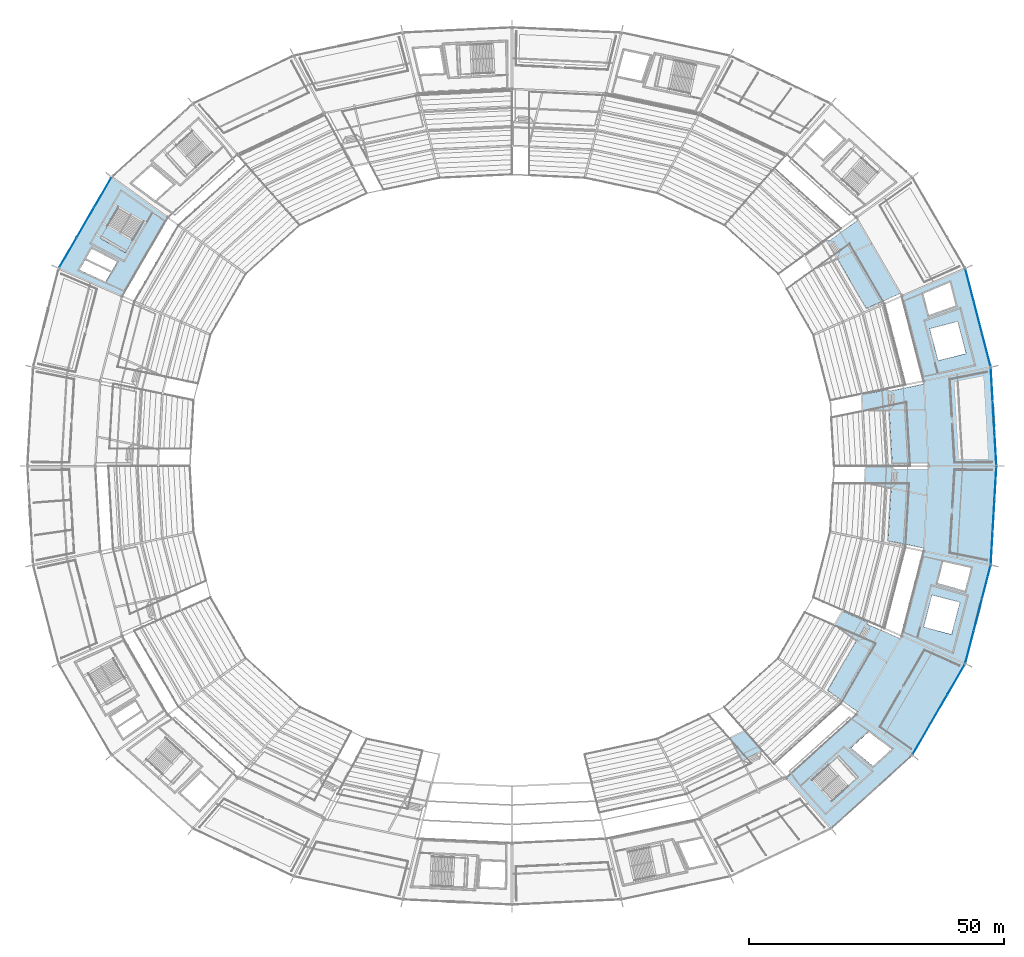
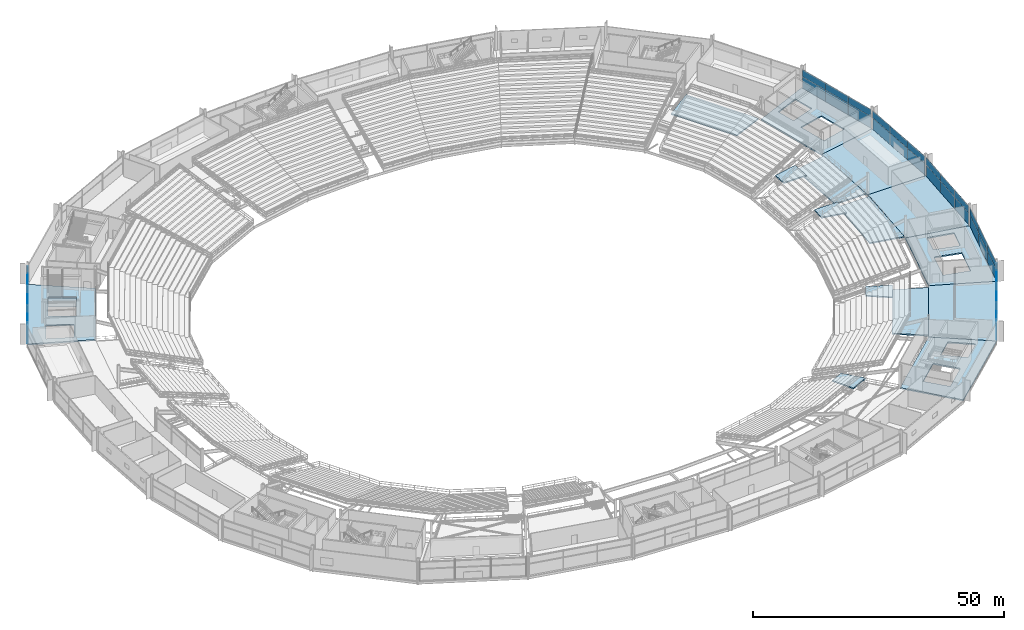
# One storey, part 122 of 186: 36 plates, 16 slabs, 7 elements without a shape of their own.
"""IFC4 building model written with IfcOpenShell, lengths in metres."""

from ifc_helpers import new_model, si_unit, direction, frame, origin, origin_2d, place, context, subcontext, project, spatial, polyline, rectangle, outline, extrude, material, layer, layer_set, type_object, element, aggregate, save


model = new_model("IFC4")

# Units and contexts
model_context = context("Model", 3, precision=1e-05, world=origin(), true_north=direction((0.0, 1.0)))
body_context = subcontext(model_context, "Body", "Model", "MODEL_VIEW")
ifc_project = project(units=[si_unit("LENGTHUNIT", "METRE"), si_unit("AREAUNIT", "SQUARE_METRE"), si_unit("VOLUMEUNIT", "CUBIC_METRE"), si_unit("PLANEANGLEUNIT", "RADIAN"), si_unit("MASSUNIT", "GRAM", prefix="KILO")], contexts=[model_context])

# Site, building, storey
site_placement = place(None, origin())
site = spatial("IfcSite", under=ifc_project, at=site_placement, CompositionType="ELEMENT")
building_placement = place(site_placement, origin())
building = spatial("IfcBuilding", under=site, at=building_placement, Name="Kazemori Nagisa Stadium", CompositionType="ELEMENT")
storey_placement = place(building_placement, frame((0.0, 0.0, 20.39990234375)))
storey = spatial("IfcBuildingStorey", under=building, at=storey_placement, Name="L04", CompositionType="ELEMENT", Elevation=20.39990234375)

# Curtain wall, plates
ifc_material_1 = material(Name="Anodised aluminium 6063-T5", Category="aluminium")
ifc_layer_1 = layer(ifc_material_1, 0.179931640625, Name="Anodised aluminium 6063-T5", Category="aluminium")
ifc_layer_set_1 = layer_set([ifc_layer_1], Name="Anodised aluminium 6063-T5")
curtain_wall_type_1 = type_object("IfcCurtainWallType", Name="CW_L04R3_101", PredefinedType="USERDEFINED", material=ifc_layer_set_1)
curtain_wall_1_placement = place(storey_placement, origin())
curtain_wall_1 = element("IfcCurtainWall", 1, at=curtain_wall_1_placement, inside=storey, type_object=curtain_wall_type_1, Name="Unitised curtain wall CW-L04R3-101 L04", ObjectType="UNITISED CURTAIN WALL", PredefinedType="USERDEFINED")
ifc_material_2 = material(Name="Anodised aluminium spandrel sheet", Category="aluminium")
ifc_layer_2 = layer(ifc_material_2, 0.0458984375, Name="Anodised aluminium spandrel sheet", Category="aluminium")
ifc_layer_set_2 = layer_set([ifc_layer_2], Name="Anodised aluminium spandrel sheet")
plate_type_1 = type_object("IfcPlateType", Name="CWPanel_SPN_L04R3_101", PredefinedType="CURTAIN_PANEL", material=ifc_layer_set_2)
plate_1_placement = place(storey_placement, frame((42.687744140625, 155.5341796875, 2.80859375), z_axis=(0.0, 0.0, 1.0), x_axis=(-0.501611590054, -0.865092950337, 0.0)))
plate_1 = element("IfcPlate", 2, at=plate_1_placement, type_object=plate_type_1, Name="Curtain wall spandrel panel CW-L04R3-101-S1", PredefinedType="CURTAIN_PANEL", context=body_context, shape_type="SweptSolid", body=[
    extrude(rectangle(XDim=6.7099609375, YDim=0.0458984375, at=origin_2d()), origin(), (0.0, 0.0, 1.0), 1.721435546875),
])
plate_2_placement = place(storey_placement, frame((39.309814453125, 149.70849609375, 2.80859375), z_axis=(0.0, 0.0, 1.0), x_axis=(-0.501611590054, -0.865092950337, 0.0)))
plate_2 = element("IfcPlate", 3, at=plate_2_placement, type_object=plate_type_1, Name="Curtain wall spandrel panel CW-L04R3-101-S2", PredefinedType="CURTAIN_PANEL", context=body_context, shape_type="SweptSolid", body=[
    extrude(rectangle(XDim=6.7099609375, YDim=0.0458984375, at=origin_2d()), origin(), (0.0, 0.0, 1.0), 1.721435546875),
])
plate_3_placement = place(storey_placement, frame((35.931884765625, 143.883056640625, 2.80859375), z_axis=(0.0, 0.0, 1.0), x_axis=(-0.501611590054, -0.865092950337, 0.0)))
plate_3 = element("IfcPlate", 4, at=plate_3_placement, type_object=plate_type_1, Name="Curtain wall spandrel panel CW-L04R3-101-S3", PredefinedType="CURTAIN_PANEL", context=body_context, shape_type="SweptSolid", body=[
    extrude(rectangle(XDim=6.7099609375, YDim=0.0458984375, at=origin_2d()), origin(), (0.0, 0.0, 1.0), 1.721435546875),
])

curtain_wall_2_placement = place(storey_placement, origin())
curtain_wall_2 = element("IfcCurtainWall", 5, at=curtain_wall_2_placement, inside=storey, type_object=curtain_wall_type_1, Name="Unitised curtain wall CW-L04R3-101 L04", ObjectType="UNITISED CURTAIN WALL", PredefinedType="USERDEFINED")
plate_4_placement = place(storey_placement, frame((203.312255859375, 48.4658203125, 2.80859375), z_axis=(0.0, 0.0, 1.0), x_axis=(0.501611590054, 0.865092950337, 0.0)))
plate_4 = element("IfcPlate", 6, at=plate_4_placement, type_object=plate_type_1, Name="Curtain wall spandrel panel CW-L04R3-101-S1", PredefinedType="CURTAIN_PANEL", context=body_context, shape_type="SweptSolid", body=[
    extrude(rectangle(XDim=6.7099609375, YDim=0.0458984375, at=origin_2d()), origin(), (0.0, 0.0, 1.0), 1.721435546875),
])
plate_5_placement = place(storey_placement, frame((206.690185546875, 54.29150390625, 2.80859375), z_axis=(0.0, 0.0, 1.0), x_axis=(0.501611590054, 0.865092950337, 0.0)))
plate_5 = element("IfcPlate", 7, at=plate_5_placement, type_object=plate_type_1, Name="Curtain wall spandrel panel CW-L04R3-101-S2", PredefinedType="CURTAIN_PANEL", context=body_context, shape_type="SweptSolid", body=[
    extrude(rectangle(XDim=6.7099609375, YDim=0.0458984375, at=origin_2d()), origin(), (0.0, 0.0, 1.0), 1.721435546875),
])
plate_6_placement = place(storey_placement, frame((210.068115234375, 60.116943359375, 2.80859375), z_axis=(0.0, 0.0, 1.0), x_axis=(0.501611590054, 0.865092950337, 0.0)))
plate_6 = element("IfcPlate", 8, at=plate_6_placement, type_object=plate_type_1, Name="Curtain wall spandrel panel CW-L04R3-101-S3", PredefinedType="CURTAIN_PANEL", context=body_context, shape_type="SweptSolid", body=[
    extrude(rectangle(XDim=6.7099609375, YDim=0.0458984375, at=origin_2d()), origin(), (0.0, 0.0, 1.0), 1.721435546875),
])

ifc_layer_3 = layer(ifc_material_1, 0.179931640625, Name="Anodised aluminium 6063-T5", Category="aluminium")
ifc_layer_set_3 = layer_set([ifc_layer_3], Name="Anodised aluminium 6063-T5")
curtain_wall_type_2 = type_object("IfcCurtainWallType", Name="CW_L04R3_95", PredefinedType="USERDEFINED", material=ifc_layer_set_3)
curtain_wall_3_placement = place(storey_placement, origin())
curtain_wall_3 = element("IfcCurtainWall", 9, at=curtain_wall_3_placement, inside=storey, type_object=curtain_wall_type_2, Name="Unitised curtain wall CW-L04R3-95 L04", ObjectType="UNITISED CURTAIN WALL", PredefinedType="USERDEFINED")
ifc_layer_4 = layer(ifc_material_2, 0.0458984375, Name="Anodised aluminium spandrel sheet", Category="aluminium")
ifc_layer_set_4 = layer_set([ifc_layer_4], Name="Anodised aluminium spandrel sheet")
plate_type_2 = type_object("IfcPlateType", Name="CWPanel_SPN_L04R3_95", PredefinedType="CURTAIN_PANEL", material=ifc_layer_set_4)
plate_7_placement = place(storey_placement, frame((217.8037109375, 105.402587890625, 2.80859375), z_axis=(0.0, 0.0, 1.0), x_axis=(-0.057601670941, 0.998339645364, 0.0)))
plate_7 = element("IfcPlate", 10, at=plate_7_placement, type_object=plate_type_2, Name="Curtain wall spandrel panel CW-L04R3-95-S1", PredefinedType="CURTAIN_PANEL", context=body_context, shape_type="SweptSolid", body=[
    extrude(rectangle(XDim=6.28271484375, YDim=0.0458984375, at=origin_2d()), origin(), (0.0, 0.0, 1.0), 1.721435546875),
])
plate_8_placement = place(storey_placement, frame((217.4404296875, 111.69873046875, 2.80859375), z_axis=(0.0, 0.0, 1.0), x_axis=(-0.057601670941, 0.998339645364, 0.0)))
plate_8 = element("IfcPlate", 11, at=plate_8_placement, type_object=plate_type_2, Name="Curtain wall spandrel panel CW-L04R3-95-S2", PredefinedType="CURTAIN_PANEL", context=body_context, shape_type="SweptSolid", body=[
    extrude(rectangle(XDim=6.28271484375, YDim=0.0458984375, at=origin_2d()), origin(), (0.0, 0.0, 1.0), 1.721435546875),
])
plate_9_placement = place(storey_placement, frame((217.0771484375, 117.9951171875, 2.80859375), z_axis=(0.0, 0.0, 1.0), x_axis=(-0.057601670941, 0.998339645364, 0.0)))
plate_9 = element("IfcPlate", 12, at=plate_9_placement, type_object=plate_type_2, Name="Curtain wall spandrel panel CW-L04R3-95-S3", PredefinedType="CURTAIN_PANEL", context=body_context, shape_type="SweptSolid", body=[
    extrude(rectangle(XDim=6.28271484375, YDim=0.0458984375, at=origin_2d()), origin(), (0.0, 0.0, 1.0), 1.721435546875),
])

curtain_wall_4_placement = place(storey_placement, origin())
curtain_wall_4 = element("IfcCurtainWall", 13, at=curtain_wall_4_placement, inside=storey, type_object=curtain_wall_type_2, Name="Unitised curtain wall CW-L04R3-95 L04", ObjectType="UNITISED CURTAIN WALL", PredefinedType="USERDEFINED")
plate_10_placement = place(storey_placement, frame((217.0771484375, 86.0048828125, 2.80859375), z_axis=(0.0, 0.0, 1.0), x_axis=(0.057601670941, 0.998339645364, 0.0)))
plate_10 = element("IfcPlate", 14, at=plate_10_placement, type_object=plate_type_2, Name="Curtain wall spandrel panel CW-L04R3-95-S1", PredefinedType="CURTAIN_PANEL", context=body_context, shape_type="SweptSolid", body=[
    extrude(rectangle(XDim=6.28271484375, YDim=0.0458984375, at=origin_2d()), origin(), (0.0, 0.0, 1.0), 1.721435546875),
])
plate_11_placement = place(storey_placement, frame((217.4404296875, 92.30126953125, 2.80859375), z_axis=(0.0, 0.0, 1.0), x_axis=(0.057601670941, 0.998339645364, 0.0)))
plate_11 = element("IfcPlate", 15, at=plate_11_placement, type_object=plate_type_2, Name="Curtain wall spandrel panel CW-L04R3-95-S2", PredefinedType="CURTAIN_PANEL", context=body_context, shape_type="SweptSolid", body=[
    extrude(rectangle(XDim=6.28271484375, YDim=0.0458984375, at=origin_2d()), origin(), (0.0, 0.0, 1.0), 1.721435546875),
])
plate_12_placement = place(storey_placement, frame((217.8037109375, 98.597412109375, 2.80859375), z_axis=(0.0, 0.0, 1.0), x_axis=(0.057601670941, 0.998339645364, 0.0)))
plate_12 = element("IfcPlate", 16, at=plate_12_placement, type_object=plate_type_2, Name="Curtain wall spandrel panel CW-L04R3-95-S3", PredefinedType="CURTAIN_PANEL", context=body_context, shape_type="SweptSolid", body=[
    extrude(rectangle(XDim=6.28271484375, YDim=0.0458984375, at=origin_2d()), origin(), (0.0, 0.0, 1.0), 1.721435546875),
])

ifc_layer_5 = layer(ifc_material_1, 0.179931640625, Name="Anodised aluminium 6063-T5", Category="aluminium")
ifc_layer_set_5 = layer_set([ifc_layer_5], Name="Anodised aluminium 6063-T5")
curtain_wall_type_3 = type_object("IfcCurtainWallType", Name="CW_L04R3_98", PredefinedType="USERDEFINED", material=ifc_layer_set_5)
curtain_wall_5_placement = place(storey_placement, origin())
curtain_wall_5 = element("IfcCurtainWall", 17, at=curtain_wall_5_placement, inside=storey, type_object=curtain_wall_type_3, Name="Unitised curtain wall CW-L04R3-98 L04", ObjectType="UNITISED CURTAIN WALL", PredefinedType="USERDEFINED")
ifc_layer_6 = layer(ifc_material_2, 0.0458984375, Name="Anodised aluminium spandrel sheet", Category="aluminium")
ifc_layer_set_6 = layer_set([ifc_layer_6], Name="Anodised aluminium spandrel sheet")
plate_type_3 = type_object("IfcPlateType", Name="CWPanel_SPN_L04R3_98", PredefinedType="CURTAIN_PANEL", material=ifc_layer_set_6)
plate_13_placement = place(storey_placement, frame((216.005615234375, 124.78759765625, 2.80859375), z_axis=(0.0, 0.0, 1.0), x_axis=(-0.249964642418, 0.968254965152, 0.0)))
plate_13 = element("IfcPlate", 18, at=plate_13_placement, type_object=plate_type_3, Name="Curtain wall spandrel panel CW-L04R3-98-S1", PredefinedType="CURTAIN_PANEL", context=body_context, shape_type="SweptSolid", body=[
    extrude(rectangle(XDim=6.468017578125, YDim=0.0458984375, at=origin_2d()), origin(), (0.0, 0.0, 1.0), 1.721435546875),
])
plate_14_placement = place(storey_placement, frame((214.3828125, 131.07373046875, 2.80859375), z_axis=(0.0, 0.0, 1.0), x_axis=(-0.249964642418, 0.968254965152, 0.0)))
plate_14 = element("IfcPlate", 19, at=plate_14_placement, type_object=plate_type_3, Name="Curtain wall spandrel panel CW-L04R3-98-S2", PredefinedType="CURTAIN_PANEL", context=body_context, shape_type="SweptSolid", body=[
    extrude(rectangle(XDim=6.468017578125, YDim=0.0458984375, at=origin_2d()), origin(), (0.0, 0.0, 1.0), 1.721435546875),
])
plate_15_placement = place(storey_placement, frame((212.760009765625, 137.359619140625, 2.80859375), z_axis=(0.0, 0.0, 1.0), x_axis=(-0.249964642418, 0.968254965152, 0.0)))
plate_15 = element("IfcPlate", 20, at=plate_15_placement, type_object=plate_type_3, Name="Curtain wall spandrel panel CW-L04R3-98-S3", PredefinedType="CURTAIN_PANEL", context=body_context, shape_type="SweptSolid", body=[
    extrude(rectangle(XDim=6.468017578125, YDim=0.0458984375, at=origin_2d()), origin(), (0.0, 0.0, 1.0), 1.721435546875),
])

curtain_wall_6_placement = place(storey_placement, origin())
curtain_wall_6 = element("IfcCurtainWall", 21, at=curtain_wall_6_placement, inside=storey, type_object=curtain_wall_type_3, Name="Unitised curtain wall CW-L04R3-98 L04", ObjectType="UNITISED CURTAIN WALL", PredefinedType="USERDEFINED")
plate_16_placement = place(storey_placement, frame((212.760009765625, 66.640380859375, 2.80859375), z_axis=(0.0, 0.0, 1.0), x_axis=(0.249964642418, 0.968254965152, 0.0)))
plate_16 = element("IfcPlate", 22, at=plate_16_placement, type_object=plate_type_3, Name="Curtain wall spandrel panel CW-L04R3-98-S1", PredefinedType="CURTAIN_PANEL", context=body_context, shape_type="SweptSolid", body=[
    extrude(rectangle(XDim=6.468017578125, YDim=0.0458984375, at=origin_2d()), origin(), (0.0, 0.0, 1.0), 1.721435546875),
])
plate_17_placement = place(storey_placement, frame((214.3828125, 72.92626953125, 2.80859375), z_axis=(0.0, 0.0, 1.0), x_axis=(0.249964642418, 0.968254965152, 0.0)))
plate_17 = element("IfcPlate", 23, at=plate_17_placement, type_object=plate_type_3, Name="Curtain wall spandrel panel CW-L04R3-98-S2", PredefinedType="CURTAIN_PANEL", context=body_context, shape_type="SweptSolid", body=[
    extrude(rectangle(XDim=6.468017578125, YDim=0.0458984375, at=origin_2d()), origin(), (0.0, 0.0, 1.0), 1.721435546875),
])
plate_18_placement = place(storey_placement, frame((216.005615234375, 79.21240234375, 2.80859375), z_axis=(0.0, 0.0, 1.0), x_axis=(0.249964642418, 0.968254965152, 0.0)))
plate_18 = element("IfcPlate", 24, at=plate_18_placement, type_object=plate_type_3, Name="Curtain wall spandrel panel CW-L04R3-98-S3", PredefinedType="CURTAIN_PANEL", context=body_context, shape_type="SweptSolid", body=[
    extrude(rectangle(XDim=6.468017578125, YDim=0.0458984375, at=origin_2d()), origin(), (0.0, 0.0, 1.0), 1.721435546875),
])

# Plate
ifc_material_3 = material(Name="Low-e laminated double glazing", Category="glass")
ifc_layer_7 = layer(ifc_material_3, 0.029052734375, Name="Low-e laminated double glazing", Category="glass")
ifc_layer_set_7 = layer_set([ifc_layer_7], Name="Low-e laminated double glazing")
plate_type_4 = type_object("IfcPlateType", Name="CWPanel_VIS_L04R3_101", PredefinedType="CURTAIN_PANEL", material=ifc_layer_set_7)
plate_19_placement = place(storey_placement, frame((42.687744140625, 155.5341796875, 0.0), z_axis=(0.0, 0.0, 1.0), x_axis=(-0.501611590054, -0.865092950337, 0.0)))
plate_19 = element("IfcPlate", 25, at=plate_19_placement, type_object=plate_type_4, Name="Curtain wall vision panel CW-L04R3-101-V1", PredefinedType="CURTAIN_PANEL", context=body_context, shape_type="SweptSolid", body=[
    extrude(rectangle(XDim=6.7099609375, YDim=0.029052734375, at=origin_2d()), origin(), (0.0, 0.0, 1.0), 2.80859375),
])

plate_20_placement = place(storey_placement, frame((39.309814453125, 149.70849609375, 0.0), z_axis=(0.0, 0.0, 1.0), x_axis=(-0.501611590054, -0.865092950337, 0.0)))
plate_20 = element("IfcPlate", 26, at=plate_20_placement, type_object=plate_type_4, Name="Curtain wall vision panel CW-L04R3-101-V2", PredefinedType="CURTAIN_PANEL", context=body_context, shape_type="SweptSolid", body=[
    extrude(rectangle(XDim=6.7099609375, YDim=0.029052734375, at=origin_2d()), origin(), (0.0, 0.0, 1.0), 2.80859375),
])

plate_21_placement = place(storey_placement, frame((35.931884765625, 143.883056640625, 0.0), z_axis=(0.0, 0.0, 1.0), x_axis=(-0.501611590054, -0.865092950337, 0.0)))
plate_21 = element("IfcPlate", 27, at=plate_21_placement, type_object=plate_type_4, Name="Curtain wall vision panel CW-L04R3-101-V3", PredefinedType="CURTAIN_PANEL", context=body_context, shape_type="SweptSolid", body=[
    extrude(rectangle(XDim=6.7099609375, YDim=0.029052734375, at=origin_2d()), origin(), (0.0, 0.0, 1.0), 2.80859375),
])

aggregate(curtain_wall_1, [plate_19, plate_1, plate_20, plate_2, plate_21, plate_3])

plate_22_placement = place(storey_placement, frame((203.312255859375, 48.4658203125, 0.0), z_axis=(0.0, 0.0, 1.0), x_axis=(0.501611590054, 0.865092950337, 0.0)))
plate_22 = element("IfcPlate", 28, at=plate_22_placement, type_object=plate_type_4, Name="Curtain wall vision panel CW-L04R3-101-V1", PredefinedType="CURTAIN_PANEL", context=body_context, shape_type="SweptSolid", body=[
    extrude(rectangle(XDim=6.7099609375, YDim=0.029052734375, at=origin_2d()), origin(), (0.0, 0.0, 1.0), 2.80859375),
])

plate_23_placement = place(storey_placement, frame((206.690185546875, 54.29150390625, 0.0), z_axis=(0.0, 0.0, 1.0), x_axis=(0.501611590054, 0.865092950337, 0.0)))
plate_23 = element("IfcPlate", 29, at=plate_23_placement, type_object=plate_type_4, Name="Curtain wall vision panel CW-L04R3-101-V2", PredefinedType="CURTAIN_PANEL", context=body_context, shape_type="SweptSolid", body=[
    extrude(rectangle(XDim=6.7099609375, YDim=0.029052734375, at=origin_2d()), origin(), (0.0, 0.0, 1.0), 2.80859375),
])

plate_24_placement = place(storey_placement, frame((210.068115234375, 60.116943359375, 0.0), z_axis=(0.0, 0.0, 1.0), x_axis=(0.501611590054, 0.865092950337, 0.0)))
plate_24 = element("IfcPlate", 30, at=plate_24_placement, type_object=plate_type_4, Name="Curtain wall vision panel CW-L04R3-101-V3", PredefinedType="CURTAIN_PANEL", context=body_context, shape_type="SweptSolid", body=[
    extrude(rectangle(XDim=6.7099609375, YDim=0.029052734375, at=origin_2d()), origin(), (0.0, 0.0, 1.0), 2.80859375),
])

aggregate(curtain_wall_2, [plate_22, plate_4, plate_23, plate_5, plate_24, plate_6])

ifc_layer_8 = layer(ifc_material_3, 0.029052734375, Name="Low-e laminated double glazing", Category="glass")
ifc_layer_set_8 = layer_set([ifc_layer_8], Name="Low-e laminated double glazing")
plate_type_5 = type_object("IfcPlateType", Name="CWPanel_VIS_L04R3_95", PredefinedType="CURTAIN_PANEL", material=ifc_layer_set_8)
plate_25_placement = place(storey_placement, frame((217.8037109375, 105.402587890625, 0.0), z_axis=(0.0, 0.0, 1.0), x_axis=(-0.057601670941, 0.998339645364, 0.0)))
plate_25 = element("IfcPlate", 31, at=plate_25_placement, type_object=plate_type_5, Name="Curtain wall vision panel CW-L04R3-95-V1", PredefinedType="CURTAIN_PANEL", context=body_context, shape_type="SweptSolid", body=[
    extrude(rectangle(XDim=6.28271484375, YDim=0.029052734375, at=origin_2d()), origin(), (0.0, 0.0, 1.0), 2.80859375),
])

plate_26_placement = place(storey_placement, frame((217.4404296875, 111.69873046875, 0.0), z_axis=(0.0, 0.0, 1.0), x_axis=(-0.057601670941, 0.998339645364, 0.0)))
plate_26 = element("IfcPlate", 32, at=plate_26_placement, type_object=plate_type_5, Name="Curtain wall vision panel CW-L04R3-95-V2", PredefinedType="CURTAIN_PANEL", context=body_context, shape_type="SweptSolid", body=[
    extrude(rectangle(XDim=6.28271484375, YDim=0.029052734375, at=origin_2d()), origin(), (0.0, 0.0, 1.0), 2.80859375),
])

plate_27_placement = place(storey_placement, frame((217.0771484375, 117.9951171875, 0.0), z_axis=(0.0, 0.0, 1.0), x_axis=(-0.057601670941, 0.998339645364, 0.0)))
plate_27 = element("IfcPlate", 33, at=plate_27_placement, type_object=plate_type_5, Name="Curtain wall vision panel CW-L04R3-95-V3", PredefinedType="CURTAIN_PANEL", context=body_context, shape_type="SweptSolid", body=[
    extrude(rectangle(XDim=6.28271484375, YDim=0.029052734375, at=origin_2d()), origin(), (0.0, 0.0, 1.0), 2.80859375),
])

aggregate(curtain_wall_3, [plate_25, plate_7, plate_26, plate_8, plate_27, plate_9])

plate_28_placement = place(storey_placement, frame((217.0771484375, 86.0048828125, 0.0), z_axis=(0.0, 0.0, 1.0), x_axis=(0.057601670941, 0.998339645364, 0.0)))
plate_28 = element("IfcPlate", 34, at=plate_28_placement, type_object=plate_type_5, Name="Curtain wall vision panel CW-L04R3-95-V1", PredefinedType="CURTAIN_PANEL", context=body_context, shape_type="SweptSolid", body=[
    extrude(rectangle(XDim=6.28271484375, YDim=0.029052734375, at=origin_2d()), origin(), (0.0, 0.0, 1.0), 2.80859375),
])

plate_29_placement = place(storey_placement, frame((217.4404296875, 92.30126953125, 0.0), z_axis=(0.0, 0.0, 1.0), x_axis=(0.057601670941, 0.998339645364, 0.0)))
plate_29 = element("IfcPlate", 35, at=plate_29_placement, type_object=plate_type_5, Name="Curtain wall vision panel CW-L04R3-95-V2", PredefinedType="CURTAIN_PANEL", context=body_context, shape_type="SweptSolid", body=[
    extrude(rectangle(XDim=6.28271484375, YDim=0.029052734375, at=origin_2d()), origin(), (0.0, 0.0, 1.0), 2.80859375),
])

plate_30_placement = place(storey_placement, frame((217.8037109375, 98.597412109375, 0.0), z_axis=(0.0, 0.0, 1.0), x_axis=(0.057601670941, 0.998339645364, 0.0)))
plate_30 = element("IfcPlate", 36, at=plate_30_placement, type_object=plate_type_5, Name="Curtain wall vision panel CW-L04R3-95-V3", PredefinedType="CURTAIN_PANEL", context=body_context, shape_type="SweptSolid", body=[
    extrude(rectangle(XDim=6.28271484375, YDim=0.029052734375, at=origin_2d()), origin(), (0.0, 0.0, 1.0), 2.80859375),
])

aggregate(curtain_wall_4, [plate_28, plate_10, plate_29, plate_11, plate_30, plate_12])

ifc_layer_9 = layer(ifc_material_3, 0.029052734375, Name="Low-e laminated double glazing", Category="glass")
ifc_layer_set_9 = layer_set([ifc_layer_9], Name="Low-e laminated double glazing")
plate_type_6 = type_object("IfcPlateType", Name="CWPanel_VIS_L04R3_98", PredefinedType="CURTAIN_PANEL", material=ifc_layer_set_9)
plate_31_placement = place(storey_placement, frame((216.005615234375, 124.78759765625, 0.0), z_axis=(0.0, 0.0, 1.0), x_axis=(-0.249964642418, 0.968254965152, 0.0)))
plate_31 = element("IfcPlate", 37, at=plate_31_placement, type_object=plate_type_6, Name="Curtain wall vision panel CW-L04R3-98-V1", PredefinedType="CURTAIN_PANEL", context=body_context, shape_type="SweptSolid", body=[
    extrude(rectangle(XDim=6.468017578125, YDim=0.029052734375, at=origin_2d()), origin(), (0.0, 0.0, 1.0), 2.80859375),
])

plate_32_placement = place(storey_placement, frame((214.3828125, 131.07373046875, 0.0), z_axis=(0.0, 0.0, 1.0), x_axis=(-0.249964642418, 0.968254965152, 0.0)))
plate_32 = element("IfcPlate", 38, at=plate_32_placement, type_object=plate_type_6, Name="Curtain wall vision panel CW-L04R3-98-V2", PredefinedType="CURTAIN_PANEL", context=body_context, shape_type="SweptSolid", body=[
    extrude(rectangle(XDim=6.468017578125, YDim=0.029052734375, at=origin_2d()), origin(), (0.0, 0.0, 1.0), 2.80859375),
])

plate_33_placement = place(storey_placement, frame((212.760009765625, 137.359619140625, 0.0), z_axis=(0.0, 0.0, 1.0), x_axis=(-0.249964642418, 0.968254965152, 0.0)))
plate_33 = element("IfcPlate", 39, at=plate_33_placement, type_object=plate_type_6, Name="Curtain wall vision panel CW-L04R3-98-V3", PredefinedType="CURTAIN_PANEL", context=body_context, shape_type="SweptSolid", body=[
    extrude(rectangle(XDim=6.468017578125, YDim=0.029052734375, at=origin_2d()), origin(), (0.0, 0.0, 1.0), 2.80859375),
])

aggregate(curtain_wall_5, [plate_31, plate_13, plate_32, plate_14, plate_33, plate_15])

plate_34_placement = place(storey_placement, frame((212.760009765625, 66.640380859375, 0.0), z_axis=(0.0, 0.0, 1.0), x_axis=(0.249964642418, 0.968254965152, 0.0)))
plate_34 = element("IfcPlate", 40, at=plate_34_placement, type_object=plate_type_6, Name="Curtain wall vision panel CW-L04R3-98-V1", PredefinedType="CURTAIN_PANEL", context=body_context, shape_type="SweptSolid", body=[
    extrude(rectangle(XDim=6.468017578125, YDim=0.029052734375, at=origin_2d()), origin(), (0.0, 0.0, 1.0), 2.80859375),
])

plate_35_placement = place(storey_placement, frame((214.3828125, 72.92626953125, 0.0), z_axis=(0.0, 0.0, 1.0), x_axis=(0.249964642418, 0.968254965152, 0.0)))
plate_35 = element("IfcPlate", 41, at=plate_35_placement, type_object=plate_type_6, Name="Curtain wall vision panel CW-L04R3-98-V2", PredefinedType="CURTAIN_PANEL", context=body_context, shape_type="SweptSolid", body=[
    extrude(rectangle(XDim=6.468017578125, YDim=0.029052734375, at=origin_2d()), origin(), (0.0, 0.0, 1.0), 2.80859375),
])

plate_36_placement = place(storey_placement, frame((216.005615234375, 79.21240234375, 0.0), z_axis=(0.0, 0.0, 1.0), x_axis=(0.249964642418, 0.968254965152, 0.0)))
plate_36 = element("IfcPlate", 42, at=plate_36_placement, type_object=plate_type_6, Name="Curtain wall vision panel CW-L04R3-98-V3", PredefinedType="CURTAIN_PANEL", context=body_context, shape_type="SweptSolid", body=[
    extrude(rectangle(XDim=6.468017578125, YDim=0.029052734375, at=origin_2d()), origin(), (0.0, 0.0, 1.0), 2.80859375),
])

aggregate(curtain_wall_6, [plate_34, plate_16, plate_35, plate_17, plate_36, plate_18])

# Slabs
ifc_material_4 = material(Name="Concrete C36/45 (Fc36)", Category="concrete")
ifc_layer_10 = layer(ifc_material_4, 0.280029296875, Name="Concrete C36/45 (Fc36)", Category="concrete")
ifc_layer_set_10 = layer_set([ifc_layer_10], Name="Concrete C36/45 (Fc36)")
slab_type_1 = type_object("IfcSlabType", Name="Slab_SL-CONC-280", PredefinedType="FLOOR", material=ifc_layer_set_10)
slab_1_placement = place(storey_placement, frame((0.0, 0.0, 0.60009765625)))
element("IfcSlab", 43, at=slab_1_placement, inside=storey, type_object=slab_type_1, Name="Vomitory portal upper bay 01", PredefinedType="FLOOR", context=body_context, shape_type="SweptSolid", body=[
    extrude(outline(polyline([(191.72021484375, 112.915771484375), (191.54443359375, 115.960693359375), (196.7080078125, 117.027587890625), (196.9453125, 112.915771484375), (191.72021484375, 112.915771484375)])), origin(), (0.0, 0.0, 1.0), 0.280029296875),
])
slab_2_placement = place(storey_placement, frame((0.0, 0.0, 0.60009765625)))
element("IfcSlab", 44, at=slab_2_placement, inside=storey, type_object=slab_type_1, Name="Vomitory portal upper bay 24", PredefinedType="FLOOR", context=body_context, shape_type="SweptSolid", body=[
    extrude(outline(polyline([(165.760986328125, 48.732177734375), (168.515869140625, 50.041015625), (171.958740234375, 46.1328125), (168.115234375, 44.306640625), (165.760986328125, 48.732177734375)])), origin(), (0.0, 0.0, 1.0), 0.280029296875),
])
slab_3_placement = place(storey_placement, frame((0.0, 0.0, 0.60009765625)))
element("IfcSlab", 45, at=slab_3_placement, inside=storey, type_object=slab_type_1, Name="Vomitory portal upper bay 26", PredefinedType="FLOOR", context=body_context, shape_type="SweptSolid", body=[
    extrude(outline(polyline([(186.255859375, 70.9013671875), (187.78564453125, 73.539794921875), (192.67431640625, 71.40869140625), (190.572998046875, 67.78466796875), (186.255859375, 70.9013671875)])), origin(), (0.0, 0.0, 1.0), 0.280029296875),
])
slab_4_placement = place(storey_placement, frame((0.0, 0.0, 0.60009765625)))
element("IfcSlab", 46, at=slab_4_placement, inside=storey, type_object=slab_type_1, Name="Vomitory portal upper bay 28", PredefinedType="FLOOR", context=body_context, shape_type="SweptSolid", body=[
    extrude(outline(polyline([(192.162841796875, 98.75537109375), (192.33837890625, 101.80029296875), (197.5634765625, 101.80029296875), (197.326171875, 97.6884765625), (192.162841796875, 98.75537109375)])), origin(), (0.0, 0.0, 1.0), 0.280029296875),
])

# Stair, slab
stair_type = type_object("IfcStairType", Name="Stair_CORE_32", PredefinedType="TWO_STRAIGHT_RUN_STAIR", material=ifc_material_4)
stair_placement = place(storey_placement, origin())
stair = element("IfcStair", 47, at=stair_placement, inside=storey, type_object=stair_type, Name="Exit stair ST08 L04", PredefinedType="TWO_STRAIGHT_RUN_STAIR")
ifc_layer_11 = layer(ifc_material_4, 0.199951171875, Name="Concrete C36/45 (Fc36)", Category="concrete")
ifc_layer_set_11 = layer_set([ifc_layer_11], Name="Concrete C36/45 (Fc36)")
slab_type_2 = type_object("IfcSlabType", Name="Slab_SL-LND-200", PredefinedType="LANDING", material=ifc_layer_set_11)
slab_5_placement = place(storey_placement, frame((0.0, 0.0, 2.52001953125)))
slab_5 = element("IfcSlab", 48, at=slab_5_placement, type_object=slab_type_2, Name="Exit stair ST08 L04 mid-landing", PredefinedType="LANDING", context=body_context, shape_type="SweptSolid", body=[
    extrude(outline(polyline([(48.606689453125, 146.268310546875), (47.17724609375, 143.802734375), (42.24609375, 146.661865234375), (43.67578125, 149.12744140625), (48.606689453125, 146.268310546875)])), origin(), (0.0, 0.0, 1.0), 0.2001953125),
])
aggregate(stair, [slab_5])

# Slabs
ifc_layer_12 = layer(ifc_material_4, 0.300048828125, Name="Concrete C36/45 (Fc36)", Category="concrete")
ifc_layer_set_12 = layer_set([ifc_layer_12], Name="Concrete C36/45 (Fc36)")
slab_type_3 = type_object("IfcSlabType", Name="Slab_SL-UPPER-300", PredefinedType="FLOOR", material=ifc_layer_set_12)
slab_6_placement = place(storey_placement, frame((0.0, 0.0, -0.2998046875)))
element("IfcSlab", 49, at=slab_6_placement, inside=storey, type_object=slab_type_3, Name="Concourse floor slab L04 bay 01", PredefinedType="FLOOR", context=body_context, shape_type="SweptSolid", body=[
    extrude(outline(polyline([(204.699951171875, 102.0), (203.737548828125, 118.68212890625), (216.880859375, 121.397705078125), (218.0, 102.0), (204.699951171875, 102.0)])), origin(), (0.0, 0.0, 1.0), 0.2998046875),
])
slab_7_placement = place(storey_placement, frame((0.0, 0.0, -0.2998046875)))
element("IfcSlab", 50, at=slab_7_placement, inside=storey, type_object=slab_type_3, Name="Upper vomitory concourse slab L04 bay 01", PredefinedType="FLOOR", context=body_context, shape_type="SweptSolid", body=[
    extrude(outline(polyline([(197.54052734375, 102.59912109375), (196.73095703125, 116.628173828125), (203.77197265625, 118.0830078125), (204.66552734375, 102.59912109375), (197.54052734375, 102.59912109375)])), origin(), (0.0, 0.0, 1.0), 0.2998046875),
])
slab_8_placement = place(storey_placement, frame((0.0, 0.0, -0.2998046875)))
element("IfcSlab", 51, at=slab_8_placement, inside=storey, type_object=slab_type_3, Name="Concourse floor slab L04 bay 02", PredefinedType="FLOOR", context=body_context, shape_type="SweptSolid", body=[
    extrude(outline(polyline([(203.737548828125, 118.68212890625), (199.44091796875, 135.32470703125), (211.885009765625, 140.74951171875), (216.880859375, 121.397705078125), (203.737548828125, 118.68212890625)]), holes=[polyline([(206.533447265625, 122.641357421875), (204.902587890625, 128.959228515625), (210.421630859375, 130.384033203125), (212.052490234375, 124.066162109375), (206.533447265625, 122.641357421875)]), polyline([(204.751953125, 131.6064453125), (203.668212890625, 135.804931640625), (208.84375, 137.973876953125), (209.9970703125, 133.505859375), (204.751953125, 131.6064453125)])]), origin(), (0.0, 0.0, 1.0), 0.2998046875),
])
slab_9_placement = place(storey_placement, frame((0.0, 0.0, -0.2998046875)))
element("IfcSlab", 52, at=slab_9_placement, inside=storey, type_object=slab_type_3, Name="Upper vomitory concourse slab L04 bay 03", PredefinedType="FLOOR", context=body_context, shape_type="SweptSolid", body=[
    extrude(outline(polyline([(192.4736328125, 132.9375), (184.919921875, 145.965087890625), (190.806884765625, 150.215087890625), (199.14013671875, 135.84375), (192.4736328125, 132.9375)])), origin(), (0.0, 0.0, 1.0), 0.2998046875),
])
slab_10_placement = place(storey_placement, frame((0.0, 0.0, -0.2998046875)))
element("IfcSlab", 53, at=slab_10_placement, inside=storey, type_object=slab_type_3, Name="Concourse floor slab L04 bay 12", PredefinedType="FLOOR", context=body_context, shape_type="SweptSolid", body=[
    extrude(outline(polyline([(55.493896484375, 150.734130859375), (46.55908203125, 135.32470703125), (34.114990234375, 140.74951171875), (44.504638671875, 158.667724609375), (55.493896484375, 150.734130859375)]), holes=[polyline([(50.736083984375, 149.940673828125), (47.463134765625, 144.2958984375), (42.531982421875, 147.155029296875), (45.80517578125, 152.7998046875), (50.736083984375, 149.940673828125)]), polyline([(45.5595703125, 142.051025390625), (43.305419921875, 138.163330078125), (38.1923828125, 140.483642578125), (40.591064453125, 144.62060546875), (45.5595703125, 142.051025390625)])]), origin(), (0.0, 0.0, 1.0), 0.2998046875),
])
slab_11_placement = place(storey_placement, frame((0.0, 0.0, -0.2998046875)))
element("IfcSlab", 54, at=slab_11_placement, inside=storey, type_object=slab_type_3, Name="Concourse floor slab L04 bay 25", PredefinedType="FLOOR", context=body_context, shape_type="SweptSolid", body=[
    extrude(outline(polyline([(176.834228515625, 40.88916015625), (190.506103515625, 53.265869140625), (201.495361328125, 45.332275390625), (185.597900390625, 30.94091796875), (176.834228515625, 40.88916015625)]), holes=[polyline([(181.87890625, 40.5205078125), (186.716064453125, 44.899658203125), (190.54150390625, 40.673828125), (185.7041015625, 36.294921875), (181.87890625, 40.5205078125)]), polyline([(189.504638671875, 46.739501953125), (192.953857421875, 49.86181640625), (197.442138671875, 46.5166015625), (193.771728515625, 43.19384765625), (189.504638671875, 46.739501953125)])]), origin(), (0.0, 0.0, 1.0), 0.2998046875),
])
slab_12_placement = place(storey_placement, frame((0.0, 0.0, -0.2998046875)))
element("IfcSlab", 55, at=slab_12_placement, inside=storey, type_object=slab_type_3, Name="Concourse floor slab L04 bay 26", PredefinedType="FLOOR", context=body_context, shape_type="SweptSolid", body=[
    extrude(outline(polyline([(190.506103515625, 53.265869140625), (199.44091796875, 68.67529296875), (211.885009765625, 63.25048828125), (201.495361328125, 45.332275390625), (190.506103515625, 53.265869140625)])), origin(), (0.0, 0.0, 1.0), 0.2998046875),
])
slab_13_placement = place(storey_placement, frame((0.0, 0.0, -0.2998046875)))
element("IfcSlab", 56, at=slab_13_placement, inside=storey, type_object=slab_type_3, Name="Upper vomitory concourse slab L04 bay 26", PredefinedType="FLOOR", context=body_context, shape_type="SweptSolid", body=[
    extrude(outline(polyline([(184.919921875, 58.034912109375), (192.4736328125, 71.0625), (199.14013671875, 68.15625), (190.806884765625, 53.784912109375), (184.919921875, 58.034912109375)])), origin(), (0.0, 0.0, 1.0), 0.2998046875),
])
slab_14_placement = place(storey_placement, frame((0.0, 0.0, -0.2998046875)))
element("IfcSlab", 57, at=slab_14_placement, inside=storey, type_object=slab_type_3, Name="Concourse floor slab L04 bay 27", PredefinedType="FLOOR", context=body_context, shape_type="SweptSolid", body=[
    extrude(outline(polyline([(199.44091796875, 68.67529296875), (203.737548828125, 85.31787109375), (216.880859375, 82.602294921875), (211.885009765625, 63.25048828125), (199.44091796875, 68.67529296875)]), holes=[polyline([(203.708740234375, 70.41650390625), (205.339599609375, 76.734375), (210.85888671875, 75.3095703125), (209.227783203125, 68.99169921875), (203.708740234375, 70.41650390625)]), polyline([(206.46826171875, 79.041259765625), (207.552001953125, 83.239990234375), (212.976806640625, 82.036376953125), (211.823486328125, 77.568359375), (206.46826171875, 79.041259765625)])]), origin(), (0.0, 0.0, 1.0), 0.2998046875),
])
slab_15_placement = place(storey_placement, frame((0.0, 0.0, -0.2998046875)))
element("IfcSlab", 58, at=slab_15_placement, inside=storey, type_object=slab_type_3, Name="Concourse floor slab L04 bay 28", PredefinedType="FLOOR", context=body_context, shape_type="SweptSolid", body=[
    extrude(outline(polyline([(203.737548828125, 85.31787109375), (204.699951171875, 102.0), (218.0, 102.0), (216.880859375, 82.602294921875), (203.737548828125, 85.31787109375)])), origin(), (0.0, 0.0, 1.0), 0.2998046875),
])
slab_16_placement = place(storey_placement, frame((0.0, 0.0, -0.2998046875)))
element("IfcSlab", 59, at=slab_16_placement, inside=storey, type_object=slab_type_3, Name="Upper vomitory concourse slab L04 bay 28", PredefinedType="FLOOR", context=body_context, shape_type="SweptSolid", body=[
    extrude(outline(polyline([(196.73095703125, 87.371826171875), (197.54052734375, 101.40087890625), (204.66552734375, 101.40087890625), (203.77197265625, 85.9169921875), (196.73095703125, 87.371826171875)])), origin(), (0.0, 0.0, 1.0), 0.2998046875),
])

save(model, "model.ifc")
